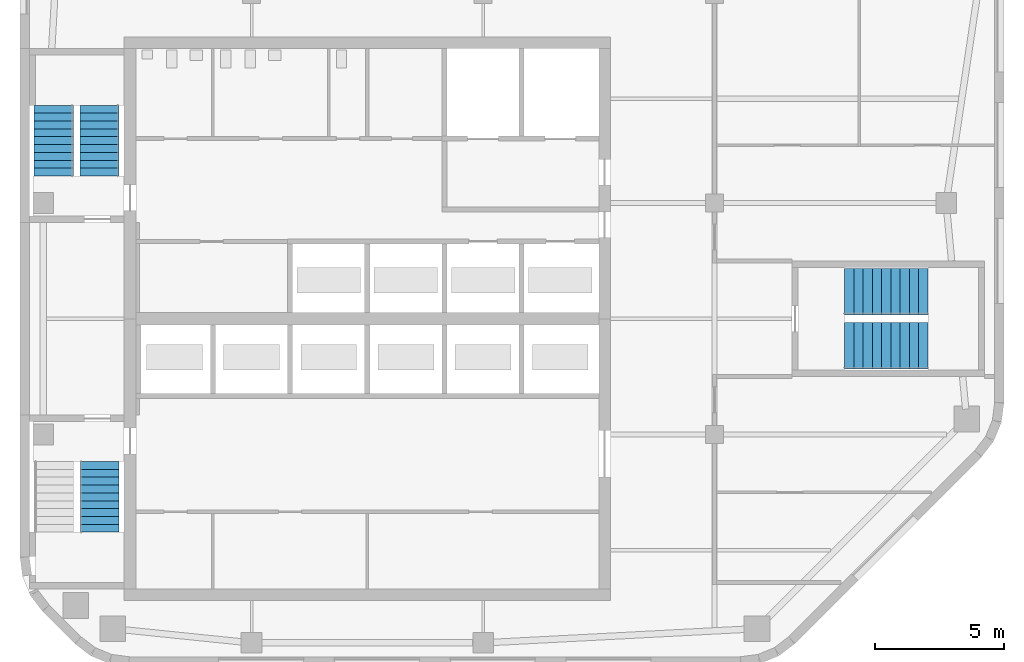
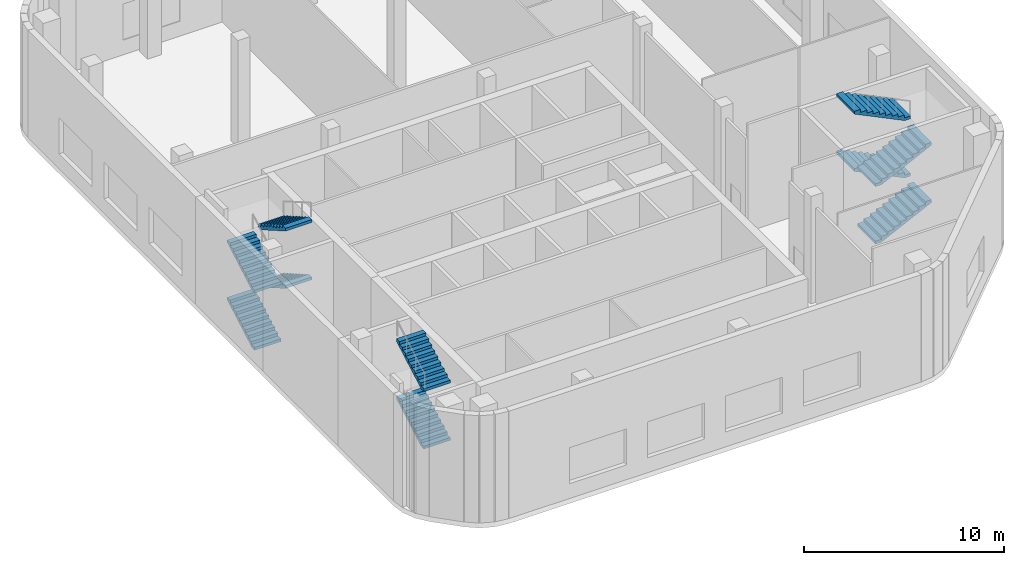
# One storey, part 5 of 8: 10 stair flights, 3 elements without a shape of their own.
"""IFC4 building model written with IfcOpenShell, lengths in metres."""

from ifc_helpers import new_model, si_unit, direction, frame, origin, place, context, subcontext, project, spatial, polyline, outline, extrude, material, type_object, element, aggregate, save


model = new_model("IFC4")

# Units and contexts
model_context = context("Model", 3, precision=1e-05, world=origin(), true_north=direction((0.0, 1.0)))
body_context = subcontext(model_context, "Body", "Model", "MODEL_VIEW")
ifc_project = project(units=[si_unit("LENGTHUNIT", "METRE"), si_unit("AREAUNIT", "SQUARE_METRE"), si_unit("VOLUMEUNIT", "CUBIC_METRE"), si_unit("PLANEANGLEUNIT", "RADIAN"), si_unit("MASSUNIT", "GRAM", prefix="KILO")], contexts=[model_context])

# Site, building, storey
site_placement = place(None, origin())
site = spatial("IfcSite", under=ifc_project, at=site_placement, CompositionType="ELEMENT")
building_placement = place(site_placement, origin())
building = spatial("IfcBuilding", under=site, at=building_placement, Name="Cinnabar Reach Civic Tower", CompositionType="ELEMENT")
storey_placement = place(building_placement, frame((0.0, 0.0, 291.0)))
storey = spatial("IfcBuildingStorey", under=building, at=storey_placement, Name="L69", CompositionType="ELEMENT", Elevation=291.0)

# Stair, stair flights
ifc_material = material(Name="Concrete C40/50", Category="concrete")
stair_type = type_object("IfcStairType", Name="T1 Exit stair, double return", PredefinedType="DOUBLE_RETURN_STAIR", material=ifc_material)
stair_1_placement = place(storey_placement, origin())
stair_1 = element("IfcStair", 1, at=stair_1_placement, inside=storey, type_object=stair_type, Name="Stair T1-S1", PredefinedType="DOUBLE_RETURN_STAIR")
stair_flight_type = type_object("IfcStairFlightType", Name="T1 Stair flight, concrete", PredefinedType="STRAIGHT", material=ifc_material)
stair_flight_1_placement = place(storey_placement, frame((3.0875, 23.205, 1.75), z_axis=(0.0, 0.0, 1.0), x_axis=(0.0, 1.0, 0.0)))
stair_flight_1 = element("IfcStairFlight", 2, at=stair_flight_1_placement, type_object=stair_flight_type, Name="T1-S1 flight 2", NumberOfRisers=10, NumberOfTreads=9, PredefinedType="STRAIGHT", RiserHeight=0.175, TreadLength=0.305, context=body_context, shape_type="SweptSolid", body=[
    extrude(outline(polyline([(0.0, 0.0), (0.0, 0.175), (0.305, 0.175), (0.305, 0.35), (0.61, 0.35), (0.61, 0.525), (0.915, 0.525), (0.915, 0.7), (1.22, 0.7), (1.22, 0.875), (1.525, 0.875), (1.525, 1.05), (1.83, 1.05), (1.83, 1.225), (2.135, 1.225), (2.135, 1.4), (2.44, 1.4), (2.44, 1.575), (2.745, 1.575), (2.745, 1.75), (2.745, 1.4021), (0.3014, 0.0), (0.0, 0.0)])), frame((0.0, 0.7625, 0.0), z_axis=(0.0, -1.0, 0.0), x_axis=(1.0, 0.0, 0.0)), (0.0, 0.0, 1.0), 1.525),
])
stair_flight_2_placement = place(storey_placement, frame((3.0875, 23.205, 5.25), z_axis=(0.0, 0.0, 1.0), x_axis=(0.0, 1.0, 0.0)))
stair_flight_2 = element("IfcStairFlight", 3, at=stair_flight_2_placement, type_object=stair_flight_type, Name="T1-S1 flight 4", NumberOfRisers=10, NumberOfTreads=9, PredefinedType="STRAIGHT", RiserHeight=0.175, TreadLength=0.305, context=body_context, shape_type="SweptSolid", body=[
    extrude(outline(polyline([(0.0, 0.0), (0.0, 0.175), (0.305, 0.175), (0.305, 0.35), (0.61, 0.35), (0.61, 0.525), (0.915, 0.525), (0.915, 0.7), (1.22, 0.7), (1.22, 0.875), (1.525, 0.875), (1.525, 1.05), (1.83, 1.05), (1.83, 1.225), (2.135, 1.225), (2.135, 1.4), (2.44, 1.4), (2.44, 1.575), (2.745, 1.575), (2.745, 1.75), (2.745, 1.4021), (0.3014, 0.0), (0.0, 0.0)])), frame((0.0, 0.7625, 0.0), z_axis=(0.0, -1.0, 0.0), x_axis=(1.0, 0.0, 0.0)), (0.0, 0.0, 1.0), 1.525),
])
aggregate(stair_1, [stair_flight_1, stair_flight_2])

stair_2_placement = place(storey_placement, origin())
stair_2 = element("IfcStair", 4, at=stair_2_placement, inside=storey, type_object=stair_type, Name="Stair T1-S2", PredefinedType="DOUBLE_RETURN_STAIR")
stair_flight_3_placement = place(storey_placement, frame((1.3125, 37.05, 0.0), z_axis=(0.0, 0.0, 1.0), x_axis=(0.0, 1.0, 0.0)))
stair_flight_3 = element("IfcStairFlight", 5, at=stair_flight_3_placement, type_object=stair_flight_type, Name="T1-S2 flight 1", NumberOfRisers=10, NumberOfTreads=9, PredefinedType="STRAIGHT", RiserHeight=0.175, TreadLength=0.305, context=body_context, shape_type="SweptSolid", body=[
    extrude(outline(polyline([(0.0, 0.0), (0.0, 0.175), (0.305, 0.175), (0.305, 0.35), (0.61, 0.35), (0.61, 0.525), (0.915, 0.525), (0.915, 0.7), (1.22, 0.7), (1.22, 0.875), (1.525, 0.875), (1.525, 1.05), (1.83, 1.05), (1.83, 1.225), (2.135, 1.225), (2.135, 1.4), (2.44, 1.4), (2.44, 1.575), (2.745, 1.575), (2.745, 1.75), (2.745, 1.4021), (0.3014, 0.0), (0.0, 0.0)])), frame((0.0, 0.7625, 0.0), z_axis=(0.0, -1.0, 0.0), x_axis=(1.0, 0.0, 0.0)), (0.0, 0.0, 1.0), 1.525),
])
stair_flight_4_placement = place(storey_placement, frame((3.0875, 39.795, 1.75), z_axis=(0.0, 0.0, 1.0), x_axis=(0.0, -1.0, 0.0)))
stair_flight_4 = element("IfcStairFlight", 6, at=stair_flight_4_placement, type_object=stair_flight_type, Name="T1-S2 flight 2", NumberOfRisers=10, NumberOfTreads=9, PredefinedType="STRAIGHT", RiserHeight=0.175, TreadLength=0.305, context=body_context, shape_type="SweptSolid", body=[
    extrude(outline(polyline([(0.0, 0.0), (0.0, 0.175), (0.305, 0.175), (0.305, 0.35), (0.61, 0.35), (0.61, 0.525), (0.915, 0.525), (0.915, 0.7), (1.22, 0.7), (1.22, 0.875), (1.525, 0.875), (1.525, 1.05), (1.83, 1.05), (1.83, 1.225), (2.135, 1.225), (2.135, 1.4), (2.44, 1.4), (2.44, 1.575), (2.745, 1.575), (2.745, 1.75), (2.745, 1.4021), (0.3014, 0.0), (0.0, 0.0)])), frame((0.0, 0.7625, 0.0), z_axis=(0.0, -1.0, 0.0), x_axis=(1.0, 0.0, 0.0)), (0.0, 0.0, 1.0), 1.525),
])
stair_flight_5_placement = place(storey_placement, frame((1.3125, 37.05, 3.5), z_axis=(0.0, 0.0, 1.0), x_axis=(0.0, 1.0, 0.0)))
stair_flight_5 = element("IfcStairFlight", 7, at=stair_flight_5_placement, type_object=stair_flight_type, Name="T1-S2 flight 3", NumberOfRisers=10, NumberOfTreads=9, PredefinedType="STRAIGHT", RiserHeight=0.175, TreadLength=0.305, context=body_context, shape_type="SweptSolid", body=[
    extrude(outline(polyline([(0.0, 0.0), (0.0, 0.175), (0.305, 0.175), (0.305, 0.35), (0.61, 0.35), (0.61, 0.525), (0.915, 0.525), (0.915, 0.7), (1.22, 0.7), (1.22, 0.875), (1.525, 0.875), (1.525, 1.05), (1.83, 1.05), (1.83, 1.225), (2.135, 1.225), (2.135, 1.4), (2.44, 1.4), (2.44, 1.575), (2.745, 1.575), (2.745, 1.75), (2.745, 1.4021), (0.3014, 0.0), (0.0, 0.0)])), frame((0.0, 0.7625, 0.0), z_axis=(0.0, -1.0, 0.0), x_axis=(1.0, 0.0, 0.0)), (0.0, 0.0, 1.0), 1.525),
])
stair_flight_6_placement = place(storey_placement, frame((3.0875, 39.795, 5.25), z_axis=(0.0, 0.0, 1.0), x_axis=(0.0, -1.0, 0.0)))
stair_flight_6 = element("IfcStairFlight", 8, at=stair_flight_6_placement, type_object=stair_flight_type, Name="T1-S2 flight 4", NumberOfRisers=10, NumberOfTreads=9, PredefinedType="STRAIGHT", RiserHeight=0.175, TreadLength=0.305, context=body_context, shape_type="SweptSolid", body=[
    extrude(outline(polyline([(0.0, 0.0), (0.0, 0.175), (0.305, 0.175), (0.305, 0.35), (0.61, 0.35), (0.61, 0.525), (0.915, 0.525), (0.915, 0.7), (1.22, 0.7), (1.22, 0.875), (1.525, 0.875), (1.525, 1.05), (1.83, 1.05), (1.83, 1.225), (2.135, 1.225), (2.135, 1.4), (2.44, 1.4), (2.44, 1.575), (2.745, 1.575), (2.745, 1.75), (2.745, 1.4021), (0.3014, 0.0), (0.0, 0.0)])), frame((0.0, 0.7625, 0.0), z_axis=(0.0, -1.0, 0.0), x_axis=(1.0, 0.0, 0.0)), (0.0, 0.0, 1.0), 1.525),
])
aggregate(stair_2, [stair_flight_3, stair_flight_4, stair_flight_5, stair_flight_6])

stair_3_placement = place(storey_placement, origin())
stair_3 = element("IfcStair", 9, at=stair_3_placement, inside=storey, type_object=stair_type, Name="Stair T1-S3", PredefinedType="DOUBLE_RETURN_STAIR")
stair_flight_7_placement = place(storey_placement, frame((32.05, 30.45, 0.0), z_axis=(0.0, 0.0, 1.0), x_axis=(1.0, 0.0, 0.0)))
stair_flight_7 = element("IfcStairFlight", 10, at=stair_flight_7_placement, type_object=stair_flight_type, Name="T1-S3 flight 1", NumberOfRisers=10, NumberOfTreads=9, PredefinedType="STRAIGHT", RiserHeight=0.175, TreadLength=0.36, context=body_context, shape_type="SweptSolid", body=[
    extrude(outline(polyline([(0.0, 0.0), (0.0, 0.175), (0.36, 0.175), (0.36, 0.35), (0.72, 0.35), (0.72, 0.525), (1.08, 0.525), (1.08, 0.7), (1.44, 0.7), (1.44, 0.875), (1.8, 0.875), (1.8, 1.05), (2.16, 1.05), (2.16, 1.225), (2.52, 1.225), (2.52, 1.4), (2.88, 1.4), (2.88, 1.575), (3.24, 1.575), (3.24, 1.75), (3.24, 1.4082), (0.3431, 0.0), (0.0, 0.0)])), frame((0.0, 0.9, 0.0), z_axis=(0.0, -1.0, 0.0), x_axis=(1.0, 0.0, 0.0)), (0.0, 0.0, 1.0), 1.8),
])
stair_flight_8_placement = place(storey_placement, frame((35.29, 32.55, 1.75), z_axis=(0.0, 0.0, 1.0), x_axis=(-1.0, 0.0, 0.0)))
stair_flight_8 = element("IfcStairFlight", 11, at=stair_flight_8_placement, type_object=stair_flight_type, Name="T1-S3 flight 2", NumberOfRisers=10, NumberOfTreads=9, PredefinedType="STRAIGHT", RiserHeight=0.175, TreadLength=0.36, context=body_context, shape_type="SweptSolid", body=[
    extrude(outline(polyline([(0.0, 0.0), (0.0, 0.175), (0.36, 0.175), (0.36, 0.35), (0.72, 0.35), (0.72, 0.525), (1.08, 0.525), (1.08, 0.7), (1.44, 0.7), (1.44, 0.875), (1.8, 0.875), (1.8, 1.05), (2.16, 1.05), (2.16, 1.225), (2.52, 1.225), (2.52, 1.4), (2.88, 1.4), (2.88, 1.575), (3.24, 1.575), (3.24, 1.75), (3.24, 1.4082), (0.3431, 0.0), (0.0, 0.0)])), frame((0.0, 0.9, 0.0), z_axis=(0.0, -1.0, 0.0), x_axis=(1.0, 0.0, 0.0)), (0.0, 0.0, 1.0), 1.8),
])
stair_flight_9_placement = place(storey_placement, frame((32.05, 30.45, 3.5), z_axis=(0.0, 0.0, 1.0), x_axis=(1.0, 0.0, 0.0)))
stair_flight_9 = element("IfcStairFlight", 12, at=stair_flight_9_placement, type_object=stair_flight_type, Name="T1-S3 flight 3", NumberOfRisers=10, NumberOfTreads=9, PredefinedType="STRAIGHT", RiserHeight=0.175, TreadLength=0.36, context=body_context, shape_type="SweptSolid", body=[
    extrude(outline(polyline([(0.0, 0.0), (0.0, 0.175), (0.36, 0.175), (0.36, 0.35), (0.72, 0.35), (0.72, 0.525), (1.08, 0.525), (1.08, 0.7), (1.44, 0.7), (1.44, 0.875), (1.8, 0.875), (1.8, 1.05), (2.16, 1.05), (2.16, 1.225), (2.52, 1.225), (2.52, 1.4), (2.88, 1.4), (2.88, 1.575), (3.24, 1.575), (3.24, 1.75), (3.24, 1.4082), (0.3431, 0.0), (0.0, 0.0)])), frame((0.0, 0.9, 0.0), z_axis=(0.0, -1.0, 0.0), x_axis=(1.0, 0.0, 0.0)), (0.0, 0.0, 1.0), 1.8),
])
stair_flight_10_placement = place(storey_placement, frame((35.29, 32.55, 5.25), z_axis=(0.0, 0.0, 1.0), x_axis=(-1.0, 0.0, 0.0)))
stair_flight_10 = element("IfcStairFlight", 13, at=stair_flight_10_placement, type_object=stair_flight_type, Name="T1-S3 flight 4", NumberOfRisers=10, NumberOfTreads=9, PredefinedType="STRAIGHT", RiserHeight=0.175, TreadLength=0.36, context=body_context, shape_type="SweptSolid", body=[
    extrude(outline(polyline([(0.0, 0.0), (0.0, 0.175), (0.36, 0.175), (0.36, 0.35), (0.72, 0.35), (0.72, 0.525), (1.08, 0.525), (1.08, 0.7), (1.44, 0.7), (1.44, 0.875), (1.8, 0.875), (1.8, 1.05), (2.16, 1.05), (2.16, 1.225), (2.52, 1.225), (2.52, 1.4), (2.88, 1.4), (2.88, 1.575), (3.24, 1.575), (3.24, 1.75), (3.24, 1.4082), (0.3431, 0.0), (0.0, 0.0)])), frame((0.0, 0.9, 0.0), z_axis=(0.0, -1.0, 0.0), x_axis=(1.0, 0.0, 0.0)), (0.0, 0.0, 1.0), 1.8),
])
aggregate(stair_3, [stair_flight_7, stair_flight_8, stair_flight_9, stair_flight_10])

save(model, "model.ifc")
